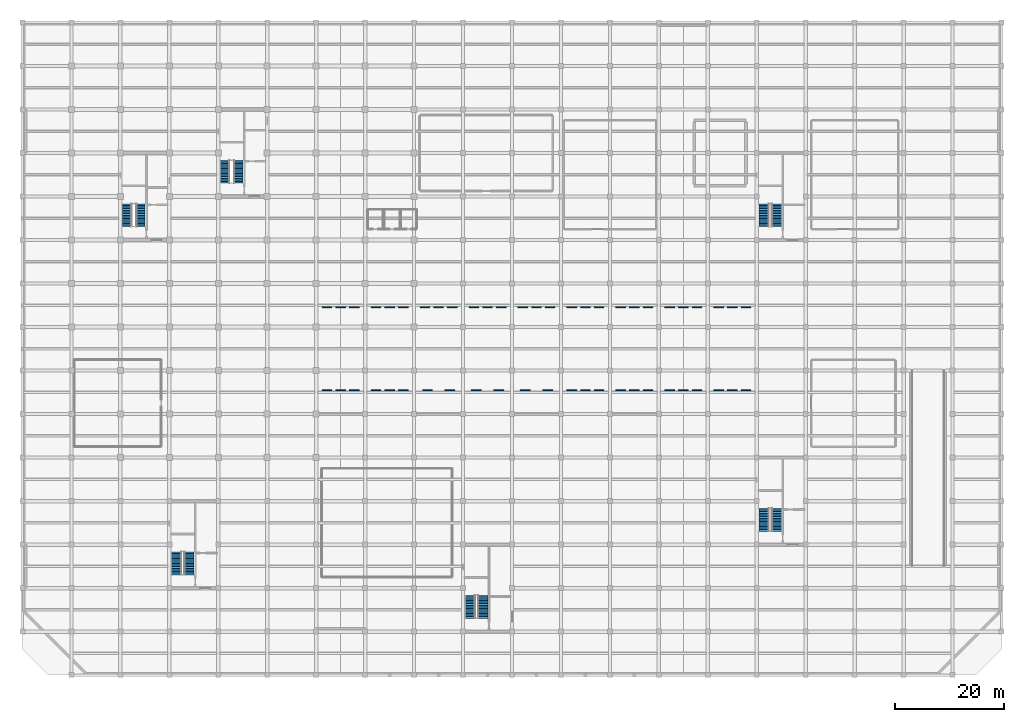
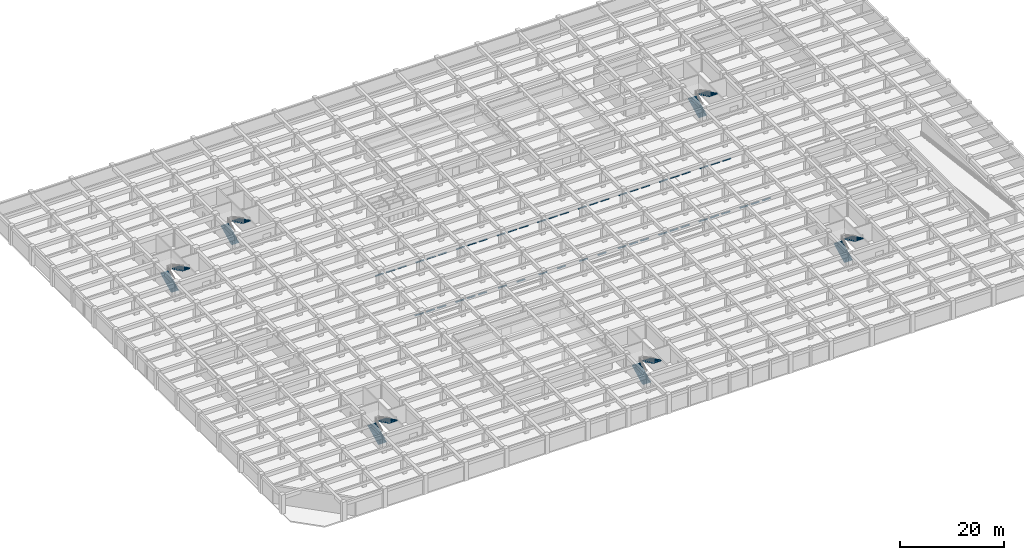
# One storey, part 19 of 26: 51 discrete accessories, 12 stair flights, 6 elements without a shape of their own.
"""IFC4 building model written with IfcOpenShell, lengths in metres."""

from ifc_helpers import new_model, si_unit, direction, frame, origin, origin_2d, place, context, subcontext, project, spatial, polyline, rectangle, outline, extrude, material, layer, layer_set, type_object, element, aggregate, save


model = new_model("IFC4")

# Units and contexts
model_context = context("Model", 3, precision=1e-05, world=origin(), true_north=direction((0.0, 1.0)))
body_context = subcontext(model_context, "Body", "Model", "MODEL_VIEW")
ifc_project = project(units=[si_unit("LENGTHUNIT", "METRE"), si_unit("AREAUNIT", "SQUARE_METRE"), si_unit("VOLUMEUNIT", "CUBIC_METRE"), si_unit("PLANEANGLEUNIT", "RADIAN"), si_unit("MASSUNIT", "GRAM", prefix="KILO")], contexts=[model_context])

# Site, building, storey
site_placement = place(None, origin())
site = spatial("IfcSite", under=ifc_project, at=site_placement, CompositionType="ELEMENT")
building_placement = place(site_placement, origin())
building = spatial("IfcBuilding", under=site, at=building_placement, Name="Zaverband Oceanarium and Marine Research Institute", CompositionType="ELEMENT")
storey_placement = place(building_placement, frame((0.0, 0.0, -4.5)))
storey = spatial("IfcBuildingStorey", under=building, at=storey_placement, Name="B1", CompositionType="ELEMENT", Elevation=-4.5)

# Stair, stair flights
ifc_material = material(Name="Concrete C40/50", Category="concrete")
stair_type_1 = type_object("IfcStairType", Name="STR-POD-1800-4500", PredefinedType="HALF_TURN_STAIR", material=ifc_material)
stair_1_placement = place(storey_placement, origin())
stair_1 = element("IfcStair", 1, at=stair_1_placement, inside=storey, type_object=stair_type_1, Name="Exit Stair ST-03 (B1)", PredefinedType="HALF_TURN_STAIR")
stair_flight_type_1 = type_object("IfcStairFlightType", Name="STR-POD-1800-4500-FL", PredefinedType="STRAIGHT", material=ifc_material)
stair_flight_1_placement = place(storey_placement, frame((28.330078125, 18.449951171875, 0.0), z_axis=(0.0, 0.0, 1.0), x_axis=(0.0, 1.0, 0.0)))
stair_flight_1 = element("IfcStairFlight", 2, at=stair_flight_1_placement, type_object=stair_flight_type_1, Name="Reinforced concrete stair flight ST-03-F1", NumberOfRisers=15, NumberOfTreads=14, PredefinedType="STRAIGHT", RiserHeight=0.15, TreadLength=0.3, context=body_context, shape_type="SweptSolid", body=[
    extrude(outline(polyline([(0.0, 0.0), (0.0, 0.14990234375), (0.300048828125, 0.14990234375), (0.300048828125, 0.300048828125), (0.60009765625, 0.300048828125), (0.60009765625, 0.449951171875), (0.89990234375, 0.449951171875), (0.89990234375, 0.60009765625), (1.199951171875, 0.60009765625), (1.199951171875, 0.75), (1.5, 0.75), (1.5, 0.89990234375), (1.800048828125, 0.89990234375), (1.800048828125, 1.050048828125), (2.10009765625, 1.050048828125), (2.10009765625, 1.199951171875), (2.39990234375, 1.199951171875), (2.39990234375, 1.35009765625), (2.699951171875, 1.35009765625), (2.699951171875, 1.5), (3.0, 1.5), (3.0, 1.64990234375), (3.300048828125, 1.64990234375), (3.300048828125, 1.800048828125), (3.60009765625, 1.800048828125), (3.60009765625, 1.949951171875), (3.89990234375, 1.949951171875), (3.89990234375, 2.10009765625), (4.199951171875, 2.10009765625), (4.199951171875, 2.25), (4.199951171875, 1.89892578125), (0.40234375, 0.0), (0.0, 0.0)])), frame((0.0, 0.89990234375, 0.0), z_axis=(0.0, -1.0, 0.0), x_axis=(1.0, 0.0, 0.0)), (0.0, 0.0, 1.0), 1.800048828125),
])
stair_flight_2_placement = place(storey_placement, frame((30.669921875, 22.64990234375, 2.25), z_axis=(0.0, 0.0, 1.0), x_axis=(0.0, -1.0, 0.0)))
stair_flight_2 = element("IfcStairFlight", 3, at=stair_flight_2_placement, type_object=stair_flight_type_1, Name="Reinforced concrete stair flight ST-03-F2", NumberOfRisers=15, NumberOfTreads=14, PredefinedType="STRAIGHT", RiserHeight=0.15, TreadLength=0.3, context=body_context, shape_type="SweptSolid", body=[
    extrude(outline(polyline([(0.0, 0.0), (0.0, 0.14990234375), (0.300048828125, 0.14990234375), (0.300048828125, 0.300048828125), (0.60009765625, 0.300048828125), (0.60009765625, 0.449951171875), (0.89990234375, 0.449951171875), (0.89990234375, 0.60009765625), (1.199951171875, 0.60009765625), (1.199951171875, 0.75), (1.5, 0.75), (1.5, 0.89990234375), (1.800048828125, 0.89990234375), (1.800048828125, 1.050048828125), (2.10009765625, 1.050048828125), (2.10009765625, 1.199951171875), (2.39990234375, 1.199951171875), (2.39990234375, 1.35009765625), (2.699951171875, 1.35009765625), (2.699951171875, 1.5), (3.0, 1.5), (3.0, 1.64990234375), (3.300048828125, 1.64990234375), (3.300048828125, 1.800048828125), (3.60009765625, 1.800048828125), (3.60009765625, 1.949951171875), (3.89990234375, 1.949951171875), (3.89990234375, 2.10009765625), (4.199951171875, 2.10009765625), (4.199951171875, 2.25), (4.199951171875, 1.89892578125), (0.40234375, 0.0), (0.0, 0.0)])), frame((0.0, 0.89990234375, 0.0), z_axis=(0.0, -1.0, 0.0), x_axis=(1.0, 0.0, 0.0)), (0.0, 0.0, 1.0), 1.800048828125),
])
aggregate(stair_1, [stair_flight_1, stair_flight_2])

stair_2_placement = place(storey_placement, origin())
stair_2 = element("IfcStair", 4, at=stair_2_placement, inside=storey, type_object=stair_type_1, Name="Exit Stair ST-04 (B1)", PredefinedType="HALF_TURN_STAIR")
stair_flight_3_placement = place(storey_placement, frame((136.330078125, 26.449951171875, 0.0), z_axis=(0.0, 0.0, 1.0), x_axis=(0.0, 1.0, 0.0)))
stair_flight_3 = element("IfcStairFlight", 5, at=stair_flight_3_placement, type_object=stair_flight_type_1, Name="Reinforced concrete stair flight ST-04-F1", NumberOfRisers=15, NumberOfTreads=14, PredefinedType="STRAIGHT", RiserHeight=0.15, TreadLength=0.3, context=body_context, shape_type="SweptSolid", body=[
    extrude(outline(polyline([(0.0, 0.0), (0.0, 0.14990234375), (0.300048828125, 0.14990234375), (0.300048828125, 0.300048828125), (0.60009765625, 0.300048828125), (0.60009765625, 0.449951171875), (0.89990234375, 0.449951171875), (0.89990234375, 0.60009765625), (1.199951171875, 0.60009765625), (1.199951171875, 0.75), (1.5, 0.75), (1.5, 0.89990234375), (1.800048828125, 0.89990234375), (1.800048828125, 1.050048828125), (2.10009765625, 1.050048828125), (2.10009765625, 1.199951171875), (2.39990234375, 1.199951171875), (2.39990234375, 1.35009765625), (2.699951171875, 1.35009765625), (2.699951171875, 1.5), (3.0, 1.5), (3.0, 1.64990234375), (3.300048828125, 1.64990234375), (3.300048828125, 1.800048828125), (3.60009765625, 1.800048828125), (3.60009765625, 1.949951171875), (3.89990234375, 1.949951171875), (3.89990234375, 2.10009765625), (4.199951171875, 2.10009765625), (4.199951171875, 2.25), (4.199951171875, 1.89892578125), (0.40234375, 0.0), (0.0, 0.0)])), frame((0.0, 0.89990234375, 0.0), z_axis=(0.0, -1.0, 0.0), x_axis=(1.0, 0.0, 0.0)), (0.0, 0.0, 1.0), 1.800048828125),
])
stair_flight_4_placement = place(storey_placement, frame((138.669921875, 30.64990234375, 2.25), z_axis=(0.0, 0.0, 1.0), x_axis=(0.0, -1.0, 0.0)))
stair_flight_4 = element("IfcStairFlight", 6, at=stair_flight_4_placement, type_object=stair_flight_type_1, Name="Reinforced concrete stair flight ST-04-F2", NumberOfRisers=15, NumberOfTreads=14, PredefinedType="STRAIGHT", RiserHeight=0.15, TreadLength=0.3, context=body_context, shape_type="SweptSolid", body=[
    extrude(outline(polyline([(0.0, 0.0), (0.0, 0.14990234375), (0.300048828125, 0.14990234375), (0.300048828125, 0.300048828125), (0.60009765625, 0.300048828125), (0.60009765625, 0.449951171875), (0.89990234375, 0.449951171875), (0.89990234375, 0.60009765625), (1.199951171875, 0.60009765625), (1.199951171875, 0.75), (1.5, 0.75), (1.5, 0.89990234375), (1.800048828125, 0.89990234375), (1.800048828125, 1.050048828125), (2.10009765625, 1.050048828125), (2.10009765625, 1.199951171875), (2.39990234375, 1.199951171875), (2.39990234375, 1.35009765625), (2.699951171875, 1.35009765625), (2.699951171875, 1.5), (3.0, 1.5), (3.0, 1.64990234375), (3.300048828125, 1.64990234375), (3.300048828125, 1.800048828125), (3.60009765625, 1.800048828125), (3.60009765625, 1.949951171875), (3.89990234375, 1.949951171875), (3.89990234375, 2.10009765625), (4.199951171875, 2.10009765625), (4.199951171875, 2.25), (4.199951171875, 1.89892578125), (0.40234375, 0.0), (0.0, 0.0)])), frame((0.0, 0.89990234375, 0.0), z_axis=(0.0, -1.0, 0.0), x_axis=(1.0, 0.0, 0.0)), (0.0, 0.0, 1.0), 1.800048828125),
])
aggregate(stair_2, [stair_flight_3, stair_flight_4])

stair_3_placement = place(storey_placement, origin())
stair_3 = element("IfcStair", 7, at=stair_3_placement, inside=storey, type_object=stair_type_1, Name="Exit Stair ST-05 (B1)", PredefinedType="HALF_TURN_STAIR")
stair_flight_5_placement = place(storey_placement, frame((136.330078125, 82.449951171875, 0.0), z_axis=(0.0, 0.0, 1.0), x_axis=(0.0, 1.0, 0.0)))
stair_flight_5 = element("IfcStairFlight", 8, at=stair_flight_5_placement, type_object=stair_flight_type_1, Name="Reinforced concrete stair flight ST-05-F1", NumberOfRisers=15, NumberOfTreads=14, PredefinedType="STRAIGHT", RiserHeight=0.15, TreadLength=0.3, context=body_context, shape_type="SweptSolid", body=[
    extrude(outline(polyline([(0.0, 0.0), (0.0, 0.14990234375), (0.300048828125, 0.14990234375), (0.300048828125, 0.300048828125), (0.60009765625, 0.300048828125), (0.60009765625, 0.449951171875), (0.89990234375, 0.449951171875), (0.89990234375, 0.60009765625), (1.199951171875, 0.60009765625), (1.199951171875, 0.75), (1.5, 0.75), (1.5, 0.89990234375), (1.800048828125, 0.89990234375), (1.800048828125, 1.050048828125), (2.10009765625, 1.050048828125), (2.10009765625, 1.199951171875), (2.39990234375, 1.199951171875), (2.39990234375, 1.35009765625), (2.699951171875, 1.35009765625), (2.699951171875, 1.5), (3.0, 1.5), (3.0, 1.64990234375), (3.300048828125, 1.64990234375), (3.300048828125, 1.800048828125), (3.60009765625, 1.800048828125), (3.60009765625, 1.949951171875), (3.89990234375, 1.949951171875), (3.89990234375, 2.10009765625), (4.199951171875, 2.10009765625), (4.199951171875, 2.25), (4.199951171875, 1.89892578125), (0.40234375, 0.0), (0.0, 0.0)])), frame((0.0, 0.89990234375, 0.0), z_axis=(0.0, -1.0, 0.0), x_axis=(1.0, 0.0, 0.0)), (0.0, 0.0, 1.0), 1.800048828125),
])
stair_flight_6_placement = place(storey_placement, frame((138.669921875, 86.64990234375, 2.25), z_axis=(0.0, 0.0, 1.0), x_axis=(0.0, -1.0, 0.0)))
stair_flight_6 = element("IfcStairFlight", 9, at=stair_flight_6_placement, type_object=stair_flight_type_1, Name="Reinforced concrete stair flight ST-05-F2", NumberOfRisers=15, NumberOfTreads=14, PredefinedType="STRAIGHT", RiserHeight=0.15, TreadLength=0.3, context=body_context, shape_type="SweptSolid", body=[
    extrude(outline(polyline([(0.0, 0.0), (0.0, 0.14990234375), (0.300048828125, 0.14990234375), (0.300048828125, 0.300048828125), (0.60009765625, 0.300048828125), (0.60009765625, 0.449951171875), (0.89990234375, 0.449951171875), (0.89990234375, 0.60009765625), (1.199951171875, 0.60009765625), (1.199951171875, 0.75), (1.5, 0.75), (1.5, 0.89990234375), (1.800048828125, 0.89990234375), (1.800048828125, 1.050048828125), (2.10009765625, 1.050048828125), (2.10009765625, 1.199951171875), (2.39990234375, 1.199951171875), (2.39990234375, 1.35009765625), (2.699951171875, 1.35009765625), (2.699951171875, 1.5), (3.0, 1.5), (3.0, 1.64990234375), (3.300048828125, 1.64990234375), (3.300048828125, 1.800048828125), (3.60009765625, 1.800048828125), (3.60009765625, 1.949951171875), (3.89990234375, 1.949951171875), (3.89990234375, 2.10009765625), (4.199951171875, 2.10009765625), (4.199951171875, 2.25), (4.199951171875, 1.89892578125), (0.40234375, 0.0), (0.0, 0.0)])), frame((0.0, 0.89990234375, 0.0), z_axis=(0.0, -1.0, 0.0), x_axis=(1.0, 0.0, 0.0)), (0.0, 0.0, 1.0), 1.800048828125),
])
aggregate(stair_3, [stair_flight_5, stair_flight_6])

stair_4_placement = place(storey_placement, origin())
stair_4 = element("IfcStair", 10, at=stair_4_placement, inside=storey, type_object=stair_type_1, Name="Exit Stair ST-06 (B1)", PredefinedType="HALF_TURN_STAIR")
stair_flight_7_placement = place(storey_placement, frame((82.330078125, 10.449951171875, 0.0), z_axis=(0.0, 0.0, 1.0), x_axis=(0.0, 1.0, 0.0)))
stair_flight_7 = element("IfcStairFlight", 11, at=stair_flight_7_placement, type_object=stair_flight_type_1, Name="Reinforced concrete stair flight ST-06-F1", NumberOfRisers=15, NumberOfTreads=14, PredefinedType="STRAIGHT", RiserHeight=0.15, TreadLength=0.3, context=body_context, shape_type="SweptSolid", body=[
    extrude(outline(polyline([(0.0, 0.0), (0.0, 0.14990234375), (0.300048828125, 0.14990234375), (0.300048828125, 0.300048828125), (0.60009765625, 0.300048828125), (0.60009765625, 0.449951171875), (0.89990234375, 0.449951171875), (0.89990234375, 0.60009765625), (1.199951171875, 0.60009765625), (1.199951171875, 0.75), (1.5, 0.75), (1.5, 0.89990234375), (1.800048828125, 0.89990234375), (1.800048828125, 1.050048828125), (2.10009765625, 1.050048828125), (2.10009765625, 1.199951171875), (2.39990234375, 1.199951171875), (2.39990234375, 1.35009765625), (2.699951171875, 1.35009765625), (2.699951171875, 1.5), (3.0, 1.5), (3.0, 1.64990234375), (3.300048828125, 1.64990234375), (3.300048828125, 1.800048828125), (3.60009765625, 1.800048828125), (3.60009765625, 1.949951171875), (3.89990234375, 1.949951171875), (3.89990234375, 2.10009765625), (4.199951171875, 2.10009765625), (4.199951171875, 2.25), (4.199951171875, 1.89892578125), (0.40234375, 0.0), (0.0, 0.0)])), frame((0.0, 0.89990234375, 0.0), z_axis=(0.0, -1.0, 0.0), x_axis=(1.0, 0.0, 0.0)), (0.0, 0.0, 1.0), 1.800048828125),
])
stair_flight_8_placement = place(storey_placement, frame((84.669921875, 14.64990234375, 2.25), z_axis=(0.0, 0.0, 1.0), x_axis=(0.0, -1.0, 0.0)))
stair_flight_8 = element("IfcStairFlight", 12, at=stair_flight_8_placement, type_object=stair_flight_type_1, Name="Reinforced concrete stair flight ST-06-F2", NumberOfRisers=15, NumberOfTreads=14, PredefinedType="STRAIGHT", RiserHeight=0.15, TreadLength=0.3, context=body_context, shape_type="SweptSolid", body=[
    extrude(outline(polyline([(0.0, 0.0), (0.0, 0.14990234375), (0.300048828125, 0.14990234375), (0.300048828125, 0.300048828125), (0.60009765625, 0.300048828125), (0.60009765625, 0.449951171875), (0.89990234375, 0.449951171875), (0.89990234375, 0.60009765625), (1.199951171875, 0.60009765625), (1.199951171875, 0.75), (1.5, 0.75), (1.5, 0.89990234375), (1.800048828125, 0.89990234375), (1.800048828125, 1.050048828125), (2.10009765625, 1.050048828125), (2.10009765625, 1.199951171875), (2.39990234375, 1.199951171875), (2.39990234375, 1.35009765625), (2.699951171875, 1.35009765625), (2.699951171875, 1.5), (3.0, 1.5), (3.0, 1.64990234375), (3.300048828125, 1.64990234375), (3.300048828125, 1.800048828125), (3.60009765625, 1.800048828125), (3.60009765625, 1.949951171875), (3.89990234375, 1.949951171875), (3.89990234375, 2.10009765625), (4.199951171875, 2.10009765625), (4.199951171875, 2.25), (4.199951171875, 1.89892578125), (0.40234375, 0.0), (0.0, 0.0)])), frame((0.0, 0.89990234375, 0.0), z_axis=(0.0, -1.0, 0.0), x_axis=(1.0, 0.0, 0.0)), (0.0, 0.0, 1.0), 1.800048828125),
])
aggregate(stair_4, [stair_flight_7, stair_flight_8])

stair_type_2 = type_object("IfcStairType", Name="STR-TWR-1650-4500", PredefinedType="HALF_TURN_STAIR", material=ifc_material)
stair_5_placement = place(storey_placement, origin())
stair_5 = element("IfcStair", 13, at=stair_5_placement, inside=storey, type_object=stair_type_2, Name="Exit Stair ST-01 (B1)", PredefinedType="HALF_TURN_STAIR")
stair_flight_type_2 = type_object("IfcStairFlightType", Name="STR-TWR-1650-4500-FL", PredefinedType="STRAIGHT", material=ifc_material)
stair_flight_9_placement = place(storey_placement, frame((19.2548828125, 82.449951171875, 0.0), z_axis=(0.0, 0.0, 1.0), x_axis=(0.0, 1.0, 0.0)))
stair_flight_9 = element("IfcStairFlight", 14, at=stair_flight_9_placement, type_object=stair_flight_type_2, Name="Reinforced concrete stair flight ST-01-F1", NumberOfRisers=15, NumberOfTreads=14, PredefinedType="STRAIGHT", RiserHeight=0.15, TreadLength=0.3, context=body_context, shape_type="SweptSolid", body=[
    extrude(outline(polyline([(0.0, 0.0), (0.0, 0.14990234375), (0.300048828125, 0.14990234375), (0.300048828125, 0.300048828125), (0.60009765625, 0.300048828125), (0.60009765625, 0.449951171875), (0.89990234375, 0.449951171875), (0.89990234375, 0.60009765625), (1.199951171875, 0.60009765625), (1.199951171875, 0.75), (1.5, 0.75), (1.5, 0.89990234375), (1.800048828125, 0.89990234375), (1.800048828125, 1.050048828125), (2.10009765625, 1.050048828125), (2.10009765625, 1.199951171875), (2.39990234375, 1.199951171875), (2.39990234375, 1.35009765625), (2.699951171875, 1.35009765625), (2.699951171875, 1.5), (3.0, 1.5), (3.0, 1.64990234375), (3.300048828125, 1.64990234375), (3.300048828125, 1.800048828125), (3.60009765625, 1.800048828125), (3.60009765625, 1.949951171875), (3.89990234375, 1.949951171875), (3.89990234375, 2.10009765625), (4.199951171875, 2.10009765625), (4.199951171875, 2.25), (4.199951171875, 1.89892578125), (0.40234375, 0.0), (0.0, 0.0)])), frame((0.0, 0.824951171875, 0.0), z_axis=(0.0, -1.0, 0.0), x_axis=(1.0, 0.0, 0.0)), (0.0, 0.0, 1.0), 1.64990234375),
])
stair_flight_10_placement = place(storey_placement, frame((21.7451171875, 86.64990234375, 2.25), z_axis=(0.0, 0.0, 1.0), x_axis=(0.0, -1.0, 0.0)))
stair_flight_10 = element("IfcStairFlight", 15, at=stair_flight_10_placement, type_object=stair_flight_type_2, Name="Reinforced concrete stair flight ST-01-F2", NumberOfRisers=15, NumberOfTreads=14, PredefinedType="STRAIGHT", RiserHeight=0.15, TreadLength=0.3, context=body_context, shape_type="SweptSolid", body=[
    extrude(outline(polyline([(0.0, 0.0), (0.0, 0.14990234375), (0.300048828125, 0.14990234375), (0.300048828125, 0.300048828125), (0.60009765625, 0.300048828125), (0.60009765625, 0.449951171875), (0.89990234375, 0.449951171875), (0.89990234375, 0.60009765625), (1.199951171875, 0.60009765625), (1.199951171875, 0.75), (1.5, 0.75), (1.5, 0.89990234375), (1.800048828125, 0.89990234375), (1.800048828125, 1.050048828125), (2.10009765625, 1.050048828125), (2.10009765625, 1.199951171875), (2.39990234375, 1.199951171875), (2.39990234375, 1.35009765625), (2.699951171875, 1.35009765625), (2.699951171875, 1.5), (3.0, 1.5), (3.0, 1.64990234375), (3.300048828125, 1.64990234375), (3.300048828125, 1.800048828125), (3.60009765625, 1.800048828125), (3.60009765625, 1.949951171875), (3.89990234375, 1.949951171875), (3.89990234375, 2.10009765625), (4.199951171875, 2.10009765625), (4.199951171875, 2.25), (4.199951171875, 1.89892578125), (0.40234375, 0.0), (0.0, 0.0)])), frame((0.0, 0.824951171875, 0.0), z_axis=(0.0, -1.0, 0.0), x_axis=(1.0, 0.0, 0.0)), (0.0, 0.0, 1.0), 1.64990234375),
])
aggregate(stair_5, [stair_flight_9, stair_flight_10])

stair_6_placement = place(storey_placement, origin())
stair_6 = element("IfcStair", 16, at=stair_6_placement, inside=storey, type_object=stair_type_2, Name="Exit Stair ST-02 (B1)", PredefinedType="HALF_TURN_STAIR")
stair_flight_11_placement = place(storey_placement, frame((37.2548828125, 90.449951171875, 0.0), z_axis=(0.0, 0.0, 1.0), x_axis=(0.0, 1.0, 0.0)))
stair_flight_11 = element("IfcStairFlight", 17, at=stair_flight_11_placement, type_object=stair_flight_type_2, Name="Reinforced concrete stair flight ST-02-F1", NumberOfRisers=15, NumberOfTreads=14, PredefinedType="STRAIGHT", RiserHeight=0.15, TreadLength=0.3, context=body_context, shape_type="SweptSolid", body=[
    extrude(outline(polyline([(0.0, 0.0), (0.0, 0.14990234375), (0.300048828125, 0.14990234375), (0.300048828125, 0.300048828125), (0.60009765625, 0.300048828125), (0.60009765625, 0.449951171875), (0.89990234375, 0.449951171875), (0.89990234375, 0.60009765625), (1.199951171875, 0.60009765625), (1.199951171875, 0.75), (1.5, 0.75), (1.5, 0.89990234375), (1.800048828125, 0.89990234375), (1.800048828125, 1.050048828125), (2.10009765625, 1.050048828125), (2.10009765625, 1.199951171875), (2.39990234375, 1.199951171875), (2.39990234375, 1.35009765625), (2.699951171875, 1.35009765625), (2.699951171875, 1.5), (3.0, 1.5), (3.0, 1.64990234375), (3.300048828125, 1.64990234375), (3.300048828125, 1.800048828125), (3.60009765625, 1.800048828125), (3.60009765625, 1.949951171875), (3.89990234375, 1.949951171875), (3.89990234375, 2.10009765625), (4.199951171875, 2.10009765625), (4.199951171875, 2.25), (4.199951171875, 1.89892578125), (0.40234375, 0.0), (0.0, 0.0)])), frame((0.0, 0.824951171875, 0.0), z_axis=(0.0, -1.0, 0.0), x_axis=(1.0, 0.0, 0.0)), (0.0, 0.0, 1.0), 1.64990234375),
])
stair_flight_12_placement = place(storey_placement, frame((39.7451171875, 94.64990234375, 2.25), z_axis=(0.0, 0.0, 1.0), x_axis=(0.0, -1.0, 0.0)))
stair_flight_12 = element("IfcStairFlight", 18, at=stair_flight_12_placement, type_object=stair_flight_type_2, Name="Reinforced concrete stair flight ST-02-F2", NumberOfRisers=15, NumberOfTreads=14, PredefinedType="STRAIGHT", RiserHeight=0.15, TreadLength=0.3, context=body_context, shape_type="SweptSolid", body=[
    extrude(outline(polyline([(0.0, 0.0), (0.0, 0.14990234375), (0.300048828125, 0.14990234375), (0.300048828125, 0.300048828125), (0.60009765625, 0.300048828125), (0.60009765625, 0.449951171875), (0.89990234375, 0.449951171875), (0.89990234375, 0.60009765625), (1.199951171875, 0.60009765625), (1.199951171875, 0.75), (1.5, 0.75), (1.5, 0.89990234375), (1.800048828125, 0.89990234375), (1.800048828125, 1.050048828125), (2.10009765625, 1.050048828125), (2.10009765625, 1.199951171875), (2.39990234375, 1.199951171875), (2.39990234375, 1.35009765625), (2.699951171875, 1.35009765625), (2.699951171875, 1.5), (3.0, 1.5), (3.0, 1.64990234375), (3.300048828125, 1.64990234375), (3.300048828125, 1.800048828125), (3.60009765625, 1.800048828125), (3.60009765625, 1.949951171875), (3.89990234375, 1.949951171875), (3.89990234375, 2.10009765625), (4.199951171875, 2.10009765625), (4.199951171875, 2.25), (4.199951171875, 1.89892578125), (0.40234375, 0.0), (0.0, 0.0)])), frame((0.0, 0.824951171875, 0.0), z_axis=(0.0, -1.0, 0.0), x_axis=(1.0, 0.0, 0.0)), (0.0, 0.0, 1.0), 1.64990234375),
])
aggregate(stair_6, [stair_flight_11, stair_flight_12])

# Discrete accessories
ifc_layer = layer(ifc_material, 0.14990234375, Name="Concrete C40/50")
ifc_layer_set = layer_set([ifc_layer], Name="Concrete C40/50")
discrete_accessory_type = type_object("IfcDiscreteAccessoryType", Name="WST-1800", PredefinedType="USERDEFINED", material=ifc_layer_set)
for number, where, z_axis, x_axis, name in (
    (19, (56.0, 52.35009765625, 0.0), (0.0, 0.0, 1.0), (1.0, 0.0, 0.0), "Car parking bay wheel stop B1-01"),
    (20, (58.5, 52.35009765625, 0.0), (0.0, 0.0, 1.0), (1.0, 0.0, 0.0), "Car parking bay wheel stop B1-02"),
    (21, (61.0, 52.35009765625, 0.0), (0.0, 0.0, 1.0), (1.0, 0.0, 0.0), "Car parking bay wheel stop B1-03"),
    (22, (56.0, 67.64990234375, 0.0), (0.0, 0.0, 1.0), (1.0, 0.0, 0.0), "Car parking bay wheel stop B1-04"),
    (23, (58.5, 67.64990234375, 0.0), (0.0, 0.0, 1.0), (1.0, 0.0, 0.0), "Car parking bay wheel stop B1-05"),
    (24, (61.0, 67.64990234375, 0.0), (0.0, 0.0, 1.0), (1.0, 0.0, 0.0), "Car parking bay wheel stop B1-06"),
    (25, (65.0, 52.35009765625, 0.0), (0.0, 0.0, 1.0), (1.0, 0.0, 0.0), "Car parking bay wheel stop B1-07"),
    (26, (67.5, 52.35009765625, 0.0), (0.0, 0.0, 1.0), (1.0, 0.0, 0.0), "Car parking bay wheel stop B1-08"),
    (27, (70.0, 52.35009765625, 0.0), (0.0, 0.0, 1.0), (1.0, 0.0, 0.0), "Car parking bay wheel stop B1-09"),
    (28, (65.0, 67.64990234375, 0.0), (0.0, 0.0, 1.0), (1.0, 0.0, 0.0), "Car parking bay wheel stop B1-10"),
    (29, (67.5, 67.64990234375, 0.0), (0.0, 0.0, 1.0), (1.0, 0.0, 0.0), "Car parking bay wheel stop B1-11"),
    (30, (70.0, 67.64990234375, 0.0), (0.0, 0.0, 1.0), (1.0, 0.0, 0.0), "Car parking bay wheel stop B1-12"),
    (31, (74.449951171875, 52.35009765625, 0.0), (0.0, 0.0, 1.0), (1.0, 0.0, 0.0), "Accessible parking bay wheel stop B1-A01"),
    (32, (78.550048828125, 52.35009765625, 0.0), (0.0, 0.0, 1.0), (1.0, 0.0, 0.0), "Accessible parking bay wheel stop B1-A02"),
    (33, (74.0, 67.64990234375, 0.0), (0.0, 0.0, 1.0), (1.0, 0.0, 0.0), "Car parking bay wheel stop B1-13"),
    (34, (76.5, 67.64990234375, 0.0), (0.0, 0.0, 1.0), (1.0, 0.0, 0.0), "Car parking bay wheel stop B1-14"),
    (35, (79.0, 67.64990234375, 0.0), (0.0, 0.0, 1.0), (1.0, 0.0, 0.0), "Car parking bay wheel stop B1-15"),
    (36, (83.449951171875, 52.35009765625, 0.0), (0.0, 0.0, 1.0), (1.0, 0.0, 0.0), "Accessible parking bay wheel stop B1-A03"),
    (37, (87.550048828125, 52.35009765625, 0.0), (0.0, 0.0, 1.0), (1.0, 0.0, 0.0), "Accessible parking bay wheel stop B1-A04"),
    (38, (83.0, 67.64990234375, 0.0), (0.0, 0.0, 1.0), (1.0, 0.0, 0.0), "Car parking bay wheel stop B1-16"),
    (39, (85.5, 67.64990234375, 0.0), (0.0, 0.0, 1.0), (1.0, 0.0, 0.0), "Car parking bay wheel stop B1-17"),
    (40, (88.0, 67.64990234375, 0.0), (0.0, 0.0, 1.0), (1.0, 0.0, 0.0), "Car parking bay wheel stop B1-18"),
    (41, (92.449951171875, 52.35009765625, 0.0), (0.0, 0.0, 1.0), (1.0, 0.0, 0.0), "Accessible parking bay wheel stop B1-A05"),
    (42, (96.550048828125, 52.35009765625, 0.0), (0.0, 0.0, 1.0), (1.0, 0.0, 0.0), "Accessible parking bay wheel stop B1-A06"),
    (43, (92.0, 67.64990234375, 0.0), (0.0, 0.0, 1.0), (1.0, 0.0, 0.0), "Car parking bay wheel stop B1-19"),
    (44, (94.5, 67.64990234375, 0.0), (0.0, 0.0, 1.0), (1.0, 0.0, 0.0), "Car parking bay wheel stop B1-20"),
    (45, (97.0, 67.64990234375, 0.0), (0.0, 0.0, 1.0), (1.0, 0.0, 0.0), "Car parking bay wheel stop B1-21"),
    (46, (101.0, 52.35009765625, 0.0), (0.0, 0.0, 1.0), (1.0, 0.0, 0.0), "Car parking bay wheel stop B1-22"),
    (47, (103.5, 52.35009765625, 0.0), (0.0, 0.0, 1.0), (1.0, 0.0, 0.0), "Car parking bay wheel stop B1-23"),
    (48, (106.0, 52.35009765625, 0.0), (0.0, 0.0, 1.0), (1.0, 0.0, 0.0), "Car parking bay wheel stop B1-24"),
    (49, (101.0, 67.64990234375, 0.0), (0.0, 0.0, 1.0), (1.0, 0.0, 0.0), "Car parking bay wheel stop B1-25"),
    (50, (103.5, 67.64990234375, 0.0), (0.0, 0.0, 1.0), (1.0, 0.0, 0.0), "Car parking bay wheel stop B1-26"),
    (51, (106.0, 67.64990234375, 0.0), (0.0, 0.0, 1.0), (1.0, 0.0, 0.0), "Car parking bay wheel stop B1-27"),
    (52, (110.0, 52.35009765625, 0.0), (0.0, 0.0, 1.0), (1.0, 0.0, 0.0), "Car parking bay wheel stop B1-28"),
    (53, (112.5, 52.35009765625, 0.0), (0.0, 0.0, 1.0), (1.0, 0.0, 0.0), "Car parking bay wheel stop B1-29"),
    (54, (115.0, 52.35009765625, 0.0), (0.0, 0.0, 1.0), (1.0, 0.0, 0.0), "Car parking bay wheel stop B1-30"),
    (55, (110.0, 67.64990234375, 0.0), (0.0, 0.0, 1.0), (1.0, 0.0, 0.0), "Car parking bay wheel stop B1-31"),
    (56, (112.5, 67.64990234375, 0.0), (0.0, 0.0, 1.0), (1.0, 0.0, 0.0), "Car parking bay wheel stop B1-32"),
    (57, (115.0, 67.64990234375, 0.0), (0.0, 0.0, 1.0), (1.0, 0.0, 0.0), "Car parking bay wheel stop B1-33"),
    (58, (119.0, 52.35009765625, 0.0), (0.0, 0.0, 1.0), (1.0, 0.0, 0.0), "Car parking bay wheel stop B1-34"),
    (59, (121.5, 52.35009765625, 0.0), (0.0, 0.0, 1.0), (1.0, 0.0, 0.0), "Car parking bay wheel stop B1-35"),
    (60, (124.0, 52.35009765625, 0.0), (0.0, 0.0, 1.0), (1.0, 0.0, 0.0), "Car parking bay wheel stop B1-36"),
    (61, (119.0, 67.64990234375, 0.0), (0.0, 0.0, 1.0), (1.0, 0.0, 0.0), "Car parking bay wheel stop B1-37"),
    (62, (121.5, 67.64990234375, 0.0), (0.0, 0.0, 1.0), (1.0, 0.0, 0.0), "Car parking bay wheel stop B1-38"),
    (63, (124.0, 67.64990234375, 0.0), (0.0, 0.0, 1.0), (1.0, 0.0, 0.0), "Car parking bay wheel stop B1-39"),
    (64, (128.0, 52.35009765625, 0.0), (0.0, 0.0, 1.0), (1.0, 0.0, 0.0), "Car parking bay wheel stop B1-40"),
    (65, (130.5, 52.35009765625, 0.0), (0.0, 0.0, 1.0), (1.0, 0.0, 0.0), "Car parking bay wheel stop B1-41"),
    (66, (133.0, 52.35009765625, 0.0), (0.0, 0.0, 1.0), (1.0, 0.0, 0.0), "Car parking bay wheel stop B1-42"),
    (67, (128.0, 67.64990234375, 0.0), (0.0, 0.0, 1.0), (1.0, 0.0, 0.0), "Car parking bay wheel stop B1-43"),
    (68, (130.5, 67.64990234375, 0.0), (0.0, 0.0, 1.0), (1.0, 0.0, 0.0), "Car parking bay wheel stop B1-44"),
    (69, (133.0, 67.64990234375, 0.0), (0.0, 0.0, 1.0), (1.0, 0.0, 0.0), "Car parking bay wheel stop B1-45"),
):
    element("IfcDiscreteAccessory", number, at=place(storey_placement, frame(where, z_axis=z_axis, x_axis=x_axis)), inside=storey, type_object=discrete_accessory_type, Name=name, ObjectType="WHEEL STOP", PredefinedType="USERDEFINED", context=body_context, shape_type="SweptSolid", body=[
        extrude(rectangle(XDim=1.800048828125, YDim=0.199951171875, at=origin_2d()), origin(), (0.0, 0.0, 1.0), 0.14990234375),
    ])

save(model, "model.ifc")
